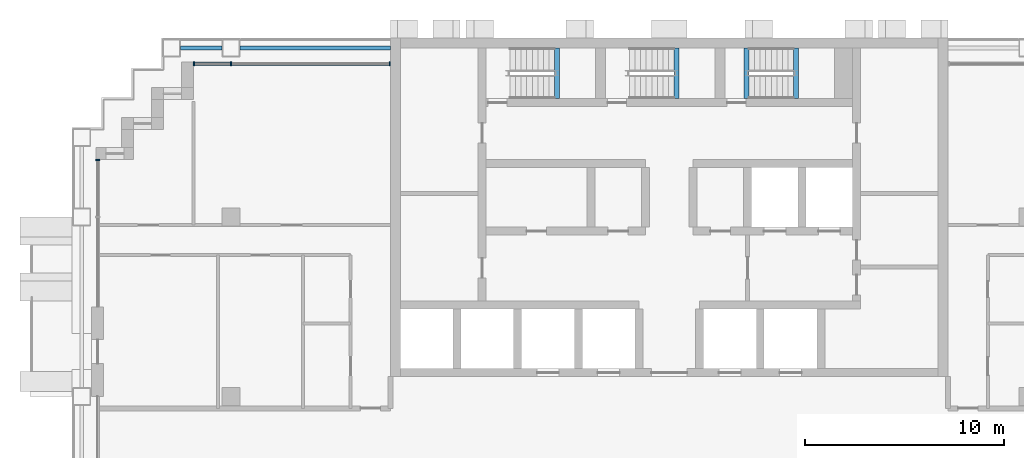
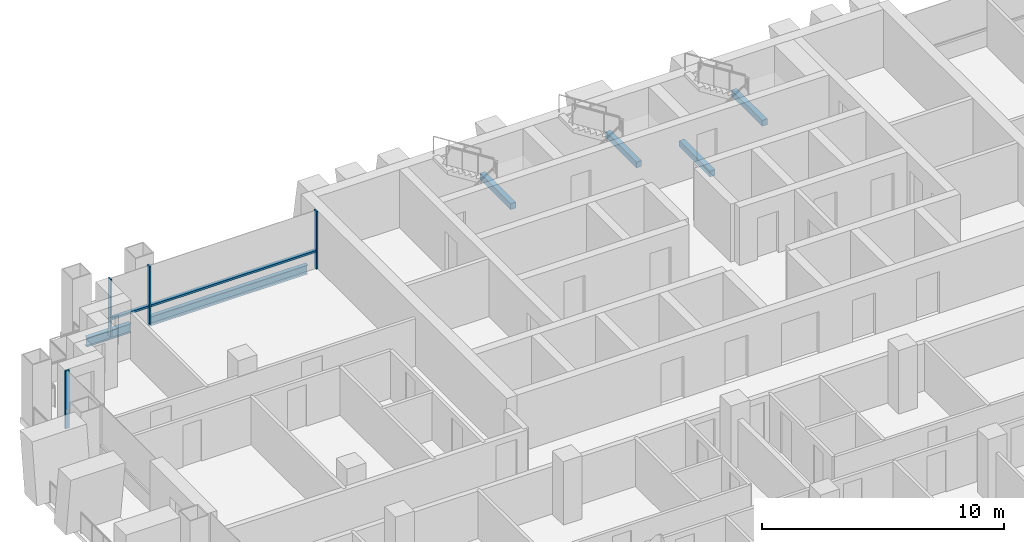
# One storey, part 4 of 19: 6 beams, 6 members, 2 elements without a shape of their own.
"""IFC4 building model written with IfcOpenShell, lengths in metres."""

from ifc_helpers import new_model, si_unit, direction, frame, origin, origin_2d, place, context, subcontext, project, spatial, rectangle, i_section, extrude, material, material_profile, profile_set, type_object, element, aggregate, save


model = new_model("IFC4")

# Units and contexts
model_context = context("Model", 3, precision=1e-05, world=origin(), true_north=direction((0.0, 1.0)))
body_context = subcontext(model_context, "Body", "Model", "MODEL_VIEW")
ifc_project = project(units=[si_unit("LENGTHUNIT", "METRE"), si_unit("AREAUNIT", "SQUARE_METRE"), si_unit("VOLUMEUNIT", "CUBIC_METRE"), si_unit("PLANEANGLEUNIT", "RADIAN"), si_unit("MASSUNIT", "GRAM", prefix="KILO")], contexts=[model_context])

# Site, building, storey
site_placement = place(None, origin())
site = spatial("IfcSite", under=ifc_project, at=site_placement, CompositionType="ELEMENT")
building_placement = place(site_placement, origin())
building = spatial("IfcBuilding", under=site, at=building_placement, Name="Vidyagriha Tower", CompositionType="ELEMENT")
storey_placement = place(building_placement, frame((0.0, 0.0, 99.89990234375)))
storey = spatial("IfcBuildingStorey", under=building, at=storey_placement, Name="L26", CompositionType="ELEMENT", Elevation=99.89990234375)

# Beams
ifc_material_1 = material(Name="Steel ASTM A992 Grade 50", Category="steel")
ifc_material_profile_1 = material_profile(ifc_material_1, i_section(OverallWidth=0.19189453125, OverallDepth=0.46240234375, WebThickness=0.010498046875, FlangeThickness=0.017578125, at=origin_2d()), Name="W18X60")
ifc_profile_set_1 = profile_set([ifc_material_profile_1], Name="Steel ASTM A992 Grade 50")
beam_type_1 = type_object("IfcBeamType", Name="Edge beam W18X60", PredefinedType="SPANDREL", material=ifc_profile_set_1)
beam_1_placement = place(storey_placement, frame((-24.550048828125, 19.5, -0.510986328125), z_axis=(1.0, 0.0, 0.0), x_axis=(0.0, 1.0, 0.0)))
element("IfcBeam", 1, at=beam_1_placement, inside=storey, type_object=beam_type_1, Name="st-beam-L26-NW20", PredefinedType="SPANDREL", context=body_context, shape_type="SweptSolid", body=[
    extrude(i_section(OverallWidth=0.19189453125, OverallDepth=0.46240234375, WebThickness=0.010498046875, FlangeThickness=0.017578125, at=origin_2d()), origin(), (0.0, 0.0, 1.0), 2.10009765625),
])
beam_2_placement = place(storey_placement, frame((-21.550048828125, 19.5, -0.510986328125), z_axis=(1.0, 0.0, 0.0), x_axis=(0.0, 1.0, 0.0)))
element("IfcBeam", 2, at=beam_2_placement, inside=storey, type_object=beam_type_1, Name="st-beam-L26-NC24", PredefinedType="SPANDREL", context=body_context, shape_type="SweptSolid", body=[
    extrude(i_section(OverallWidth=0.19189453125, OverallDepth=0.46240234375, WebThickness=0.010498046875, FlangeThickness=0.017578125, at=origin_2d()), origin(), (0.0, 0.0, 1.0), 7.550048828125),
])

# Curtain wall, members
ifc_material_2 = material(Name="Aluminium and glass curtain wall", Category="aluminium")
curtain_wall_type = type_object("IfcCurtainWallType", Name="Dwelling skin unitised curtain wall", PredefinedType="USERDEFINED", material=ifc_material_2)
curtain_wall_1_placement = place(storey_placement, origin())
curtain_wall_1 = element("IfcCurtainWall", 3, at=curtain_wall_1_placement, inside=storey, type_object=curtain_wall_type, Name="CW1 dwelling skin", ObjectType="UNITISED", PredefinedType="USERDEFINED")
ifc_material_3 = material(Name="Aluminium black anodised", Category="aluminium")
ifc_material_profile_2 = material_profile(ifc_material_3, rectangle(XDim=0.199951171875, YDim=0.070068359375, at=origin_2d()), Name="Mullion 70x200 black aluminium")
ifc_profile_set_2 = profile_set([ifc_material_profile_2], Name="Aluminium black anodised")
member_type_1 = type_object("IfcMemberType", Name="Mullion 70x200 black aluminium", PredefinedType="MULLION", material=ifc_profile_set_2)
member_1_placement = place(storey_placement, frame((-14.034912109375, 18.699951171875, 0.0), z_axis=(0.0, 0.0, 1.0), x_axis=(0.0, -1.0, 0.0)))
member_1 = element("IfcMember", 4, at=member_1_placement, type_object=member_type_1, Name="CW1 mullion 1", PredefinedType="MULLION", context=body_context, shape_type="SweptSolid", body=[
    extrude(rectangle(XDim=0.199951171875, YDim=0.070068359375, at=origin_2d()), origin(), (0.0, 0.0, 1.0), 2.920166015625),
])
member_2_placement = place(storey_placement, frame((-22.0, 18.699951171875, 0.0), z_axis=(0.0, 0.0, 1.0), x_axis=(0.0, -1.0, 0.0)))
member_2 = element("IfcMember", 5, at=member_2_placement, type_object=member_type_1, Name="CW1 mullion 2", PredefinedType="MULLION", context=body_context, shape_type="SweptSolid", body=[
    extrude(rectangle(XDim=0.199951171875, YDim=0.070068359375, at=origin_2d()), origin(), (0.0, 0.0, 1.0), 2.920166015625),
])
member_3_placement = place(storey_placement, frame((-23.864990234375, 18.699951171875, 0.0), z_axis=(0.0, 0.0, 1.0), x_axis=(0.0, -1.0, 0.0)))
member_3 = element("IfcMember", 6, at=member_3_placement, type_object=member_type_1, Name="CW1 mullion 3", PredefinedType="MULLION", context=body_context, shape_type="SweptSolid", body=[
    extrude(rectangle(XDim=0.199951171875, YDim=0.070068359375, at=origin_2d()), origin(), (0.0, 0.0, 1.0), 2.920166015625),
])

# Curtain wall, member
curtain_wall_2_placement = place(storey_placement, origin())
curtain_wall_2 = element("IfcCurtainWall", 7, at=curtain_wall_2_placement, inside=storey, type_object=curtain_wall_type, Name="CW1 dwelling skin", ObjectType="UNITISED", PredefinedType="USERDEFINED")
member_4_placement = place(storey_placement, frame((-28.699951171875, 13.864990234375, 0.0)))
member_4 = element("IfcMember", 8, at=member_4_placement, type_object=member_type_1, Name="CW1 mullion 1", PredefinedType="MULLION", context=body_context, shape_type="SweptSolid", body=[
    extrude(rectangle(XDim=0.199951171875, YDim=0.070068359375, at=origin_2d()), origin(), (0.0, 0.0, 1.0), 2.920166015625),
])
aggregate(curtain_wall_2, [member_4])

# Beams
ifc_material_4 = material(Name="Concrete C40/50", Category="concrete")
ifc_material_profile_3 = material_profile(ifc_material_4, rectangle(XDim=0.25, YDim=0.300048828125, at=origin_2d()), Name="Stair landing bearing beam 250x300")
ifc_profile_set_3 = profile_set([ifc_material_profile_3], Name="Concrete C40/50")
beam_type_2 = type_object("IfcBeamType", Name="Stair landing bearing beam 250x300", PredefinedType="BEAM", material=ifc_profile_set_3)
for number, where, z_axis, x_axis, name in (
    (9, (3.875, 16.949951171875, -0.429931640625), (0.0, 1.0, 0.0), (-1.0, 0.0, 0.0), "ST3 floor landing bearing beam L26"),
    (10, (-5.635009765625, 16.949951171875, 1.25), (0.0, 1.0, 0.0), (-1.0, 0.0, 0.0), "ST1 landing bearing beam L26"),
    (11, (0.364990234375, 16.949951171875, 1.25), (0.0, 1.0, 0.0), (-1.0, 0.0, 0.0), "ST2 landing bearing beam L26"),
    (12, (6.364990234375, 16.949951171875, 1.25), (0.0, 1.0, 0.0), (-1.0, 0.0, 0.0), "ST3 landing bearing beam L26"),
):
    element("IfcBeam", number, at=place(storey_placement, frame(where, z_axis=z_axis, x_axis=x_axis)), inside=storey, type_object=beam_type_2, Name=name, PredefinedType="BEAM", context=body_context, shape_type="SweptSolid", body=[
        extrude(rectangle(XDim=0.25, YDim=0.300048828125, at=origin_2d()), origin(), (0.0, 0.0, 1.0), 2.550048828125),
    ])

# Member
ifc_material_5 = material(Name="Aluminium black anodised", Category="aluminium")
ifc_material_profile_4 = material_profile(ifc_material_5, rectangle(XDim=0.159912109375, YDim=0.10009765625, at=origin_2d()), Name="Transom 100x160 black aluminium")
ifc_profile_set_4 = profile_set([ifc_material_profile_4], Name="Aluminium black anodised")
member_type_2 = type_object("IfcMemberType", Name="Transom 100x160 black aluminium", PredefinedType="USERDEFINED", material=ifc_profile_set_4)
member_5_placement = place(storey_placement, frame((-14.070068359375, 18.699951171875, 0.900146484375), z_axis=(-1.0, 0.0, 0.0), x_axis=(0.0, -1.0, 0.0)))
member_5 = element("IfcMember", 13, at=member_5_placement, type_object=member_type_2, Name="CW1 transom 1.1", ObjectType="TRANSOM", PredefinedType="USERDEFINED", context=body_context, shape_type="SweptSolid", body=[
    extrude(rectangle(XDim=0.159912109375, YDim=0.10009765625, at=origin_2d()), origin(), (0.0, 0.0, 1.0), 7.89501953125),
])

member_6_placement = place(storey_placement, frame((-22.034912109375, 18.699951171875, 0.900146484375), z_axis=(-1.0, 0.0, 0.0), x_axis=(0.0, -1.0, 0.0)))
member_6 = element("IfcMember", 14, at=member_6_placement, type_object=member_type_2, Name="CW1 transom 2.1", ObjectType="TRANSOM", PredefinedType="USERDEFINED", context=body_context, shape_type="SweptSolid", body=[
    extrude(rectangle(XDim=0.159912109375, YDim=0.10009765625, at=origin_2d()), origin(), (0.0, 0.0, 1.0), 1.795166015625),
])

aggregate(curtain_wall_1, [member_1, member_2, member_3, member_5, member_6])

save(model, "model.ifc")
